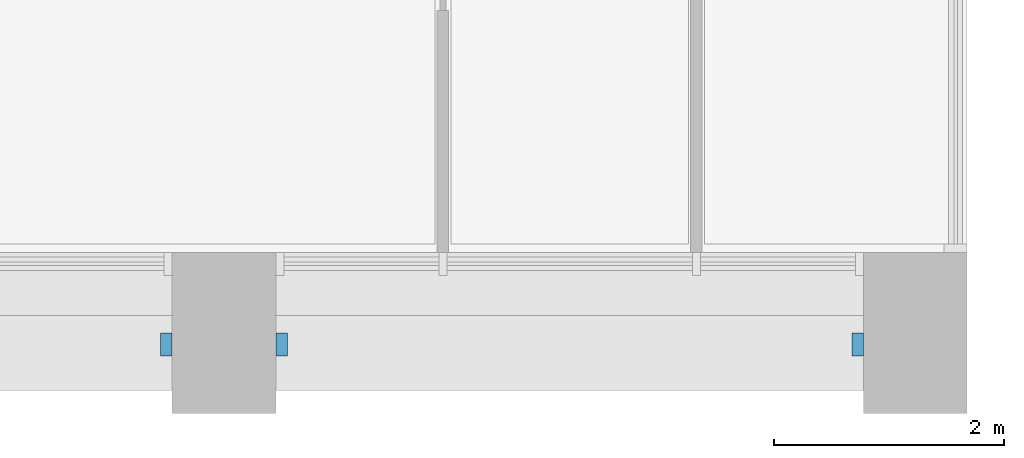
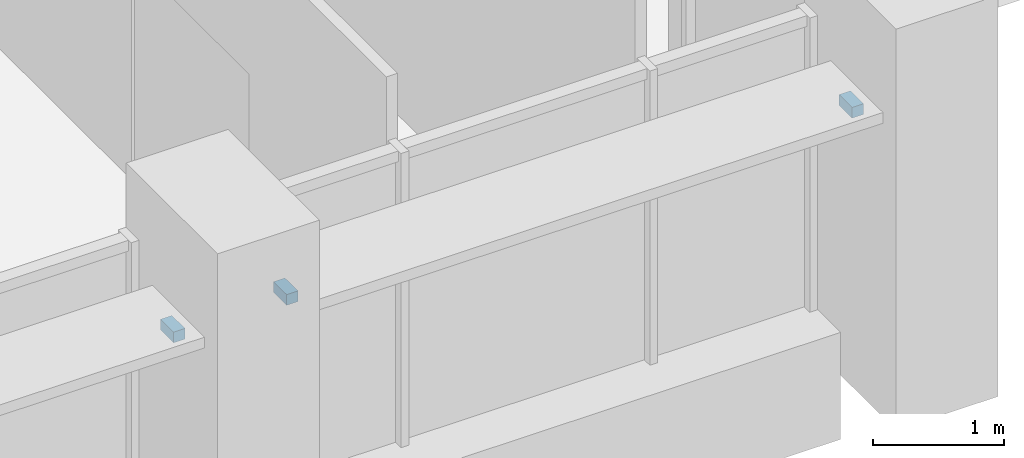
# One storey, part 14 of 15: 3 discrete accessories.
"""IFC4 building model written with IfcOpenShell, lengths in metres."""

from ifc_helpers import new_model, si_unit, direction, frame, origin, origin_2d, place, context, subcontext, project, spatial, rectangle, extrude, element, save


model = new_model("IFC4")

# Units and contexts
model_context = context("Model", 3, precision=1e-05, world=origin(), true_north=direction((0.0, 1.0)))
body_context = subcontext(model_context, "Body", "Model", "MODEL_VIEW")
ifc_project = project(units=[si_unit("LENGTHUNIT", "METRE"), si_unit("AREAUNIT", "SQUARE_METRE"), si_unit("VOLUMEUNIT", "CUBIC_METRE"), si_unit("PLANEANGLEUNIT", "RADIAN"), si_unit("MASSUNIT", "GRAM", prefix="KILO")], contexts=[model_context])

# Site, building, storey
site_placement = place(None, origin())
site = spatial("IfcSite", under=ifc_project, at=site_placement, CompositionType="ELEMENT")
building_placement = place(site_placement, origin())
building = spatial("IfcBuilding", under=site, at=building_placement, Name="Calvaro Tower", CompositionType="ELEMENT")
storey_placement = place(building_placement, frame((0.0, 0.0, 117.5)))
storey = spatial("IfcBuildingStorey", under=building, at=storey_placement, Name="L29", CompositionType="ELEMENT", Elevation=117.5)

# Discrete accessories
for number, where, z_axis, x_axis, name in (
    (1, (59.5, 2.10009765625, 2.25), (0.0, 0.0, 1.0), (1.0, 0.0, 0.0), "Brise-soleil bracket"),
    (2, (60.5, 2.10009765625, 2.25), (0.0, 0.0, 1.0), (1.0, 0.0, 0.0), "Brise-soleil bracket"),
    (3, (65.5, 2.10009765625, 2.25), (0.0, 0.0, 1.0), (1.0, 0.0, 0.0), "Brise-soleil bracket"),
):
    element("IfcDiscreteAccessory", number, at=place(storey_placement, frame(where, z_axis=z_axis, x_axis=x_axis)), inside=storey, Name=name, PredefinedType="BRACKET", context=body_context, shape_type="SweptSolid", body=[
        extrude(rectangle(XDim=0.10009765625, YDim=0.199951171875, at=origin_2d()), origin(), (0.0, 0.0, 1.0), 0.10009765625),
    ])

save(model, "model.ifc")
